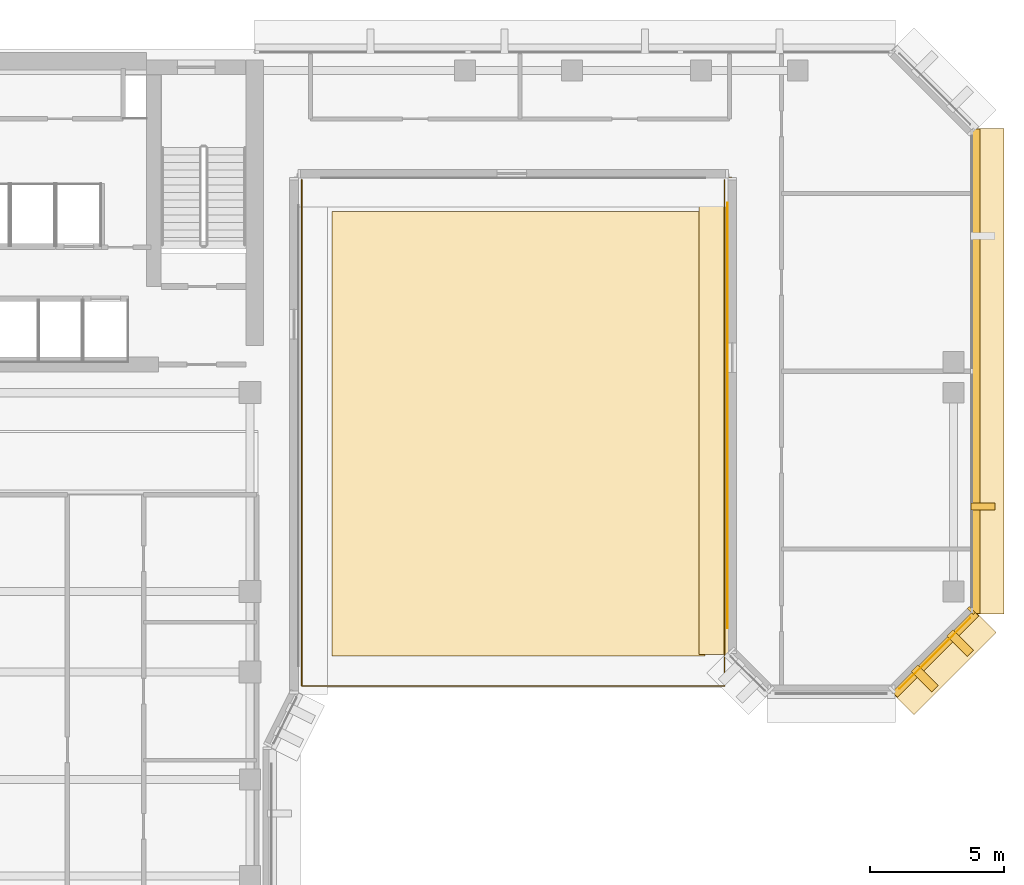
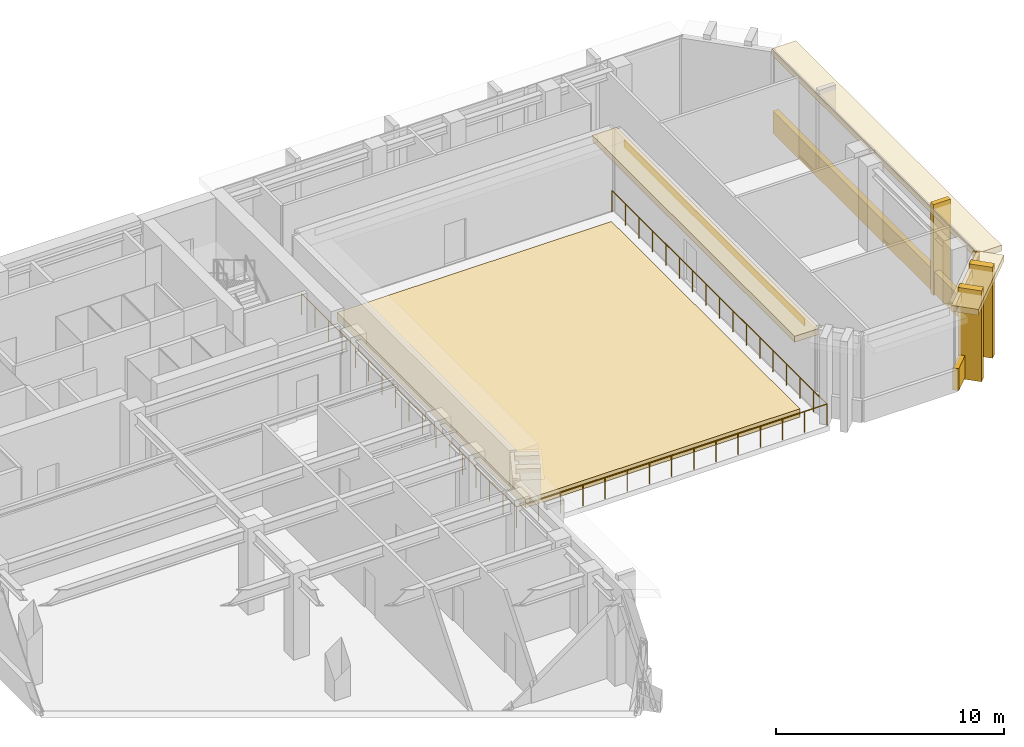
# One storey, part 10 of 12: 12 coverings, 1 railing.
"""IFC4 building model written with IfcOpenShell, lengths in metres."""

from ifc_helpers import new_model, si_unit, direction, frame, origin, origin_2d, place, context, subcontext, project, spatial, polyline, rectangle, circle, outline, extrude, material, layer, layer_set, type_object, element, save


model = new_model("IFC4")

# Units and contexts
model_context = context("Model", 3, precision=1e-05, world=origin(), true_north=direction((0.0, 1.0)))
body_context = subcontext(model_context, "Body", "Model", "MODEL_VIEW")
ifc_project = project(units=[si_unit("LENGTHUNIT", "METRE"), si_unit("AREAUNIT", "SQUARE_METRE"), si_unit("VOLUMEUNIT", "CUBIC_METRE"), si_unit("PLANEANGLEUNIT", "RADIAN"), si_unit("MASSUNIT", "GRAM", prefix="KILO")], contexts=[model_context])

# Site, building, storey
site_placement = place(None, origin())
site = spatial("IfcSite", under=ifc_project, at=site_placement, CompositionType="ELEMENT")
building_placement = place(site_placement, origin())
building = spatial("IfcBuilding", under=site, at=building_placement, Name="Kefirva Bronze Tower", CompositionType="ELEMENT")
storey_placement = place(building_placement, frame((0.0, 0.0, 215.159912109375)))
storey = spatial("IfcBuildingStorey", under=building, at=storey_placement, Name="L52", CompositionType="ELEMENT", Elevation=215.159912109375)

# Coverings
ifc_material_1 = material(Name="Bronze anodised aluminium", Category="aluminium")
ifc_layer_1 = layer(ifc_material_1, 0.02001953125, Name="Bronze anodised aluminium")
ifc_layer_set_1 = layer_set([ifc_layer_1], Name="Bronze anodised aluminium")
covering_type_1 = type_object("IfcCoveringType", Name="Anodised Bronze Spandrel Cladding 20mm", PredefinedType="CLADDING", material=ifc_layer_set_1)
covering_1_placement = place(storey_placement, frame((40.989990234375, 32.35009765625, 3.9501953125), z_axis=(0.0, 0.0, 1.0), x_axis=(0.0, -1.0, 0.0)))
element("IfcCovering", 1, at=covering_1_placement, inside=storey, type_object=covering_type_1, Name="L52 Bronze Spandrel Cladding 6", PredefinedType="CLADDING", context=body_context, shape_type="SweptSolid", body=[
    extrude(rectangle(XDim=15.8310546875, YDim=0.02001953125, at=origin_2d()), origin(), (0.0, 0.0, 1.0), 0.39990234375),
])
covering_2_placement = place(storey_placement, frame((48.70703125, 23.492919921875, 3.9501953125), z_axis=(0.0, 0.0, 1.0), x_axis=(0.707106781187, 0.707106781187, 0.0)))
element("IfcCovering", 2, at=covering_2_placement, inside=storey, type_object=covering_type_1, Name="L52 Bronze Spandrel Cladding 9", PredefinedType="CLADDING", context=body_context, shape_type="SweptSolid", body=[
    extrude(rectangle(XDim=3.719482421875, YDim=0.02001953125, at=origin_2d()), origin(), (0.0, 0.0, 1.0), 0.39990234375),
])
covering_3_placement = place(storey_placement, frame((50.06201171875, 25.08837890625, 0.0), z_axis=(0.0, 0.0, 1.0), x_axis=(0.707106781187, 0.707106781187, 0.0)))
element("IfcCovering", 3, at=covering_3_placement, inside=storey, type_object=covering_type_1, Name="L52 Facade Joint Closure Panel 9E", PredefinedType="CLADDING", context=body_context, shape_type="SweptSolid", body=[
    extrude(rectangle(XDim=0.10009765625, YDim=0.320068359375, at=origin_2d()), origin(), (0.0, 0.0, 1.0), 4.3701171875),
])
covering_4_placement = place(storey_placement, frame((48.728271484375, 23.4716796875, -0.15966796875), z_axis=(0.0, 0.0, 1.0), x_axis=(0.707106781187, 0.707106781187, 0.0)))
element("IfcCovering", 4, at=covering_4_placement, inside=storey, type_object=covering_type_1, Name="L52 Streamline Horizontal Spandrel Band 10", PredefinedType="CLADDING", context=body_context, shape_type="SweptSolid", body=[
    extrude(rectangle(XDim=4.28271484375, YDim=0.280029296875, at=origin_2d()), origin(), (0.0, 0.0, 1.0), 1.179931640625),
])
covering_5_placement = place(storey_placement, frame((50.239990234375, 34.0, -0.15966796875), z_axis=(0.0, 0.0, 1.0), x_axis=(0.0, 1.0, 0.0)))
element("IfcCovering", 5, at=covering_5_placement, inside=storey, type_object=covering_type_1, Name="L52 Streamline Horizontal Spandrel Band 11", PredefinedType="CLADDING", context=body_context, shape_type="SweptSolid", body=[
    extrude(rectangle(XDim=18.0400390625, YDim=0.280029296875, at=origin_2d()), origin(), (0.0, 0.0, 1.0), 1.179931640625),
])

# Railing
railing_type = type_object("IfcRailingType", Name="Exterior Ship-Deck Terrace Guardrail 1150mm", PredefinedType="GUARDRAIL", material=ifc_material_1)
railing_placement = place(storey_placement, frame((25.1298828125, 41.1298828125, 0.0)))
element("IfcRailing", 6, at=railing_placement, inside=storey, type_object=railing_type, Name="L52 Terrace Perimeter Guardrail", PredefinedType="GUARDRAIL", context=body_context, shape_type="SweptSolid", body=[
    extrude(circle(Radius=0.02392578125, at=origin_2d()), frame((0.0, 0.0, 1.1259765625), z_axis=(0.0, -1.0, 0.0), x_axis=(1.0, 0.0, 0.0)), (0.0, 0.0, 1.0), 18.849853515625),
    extrude(circle(Radius=0.02392578125, at=origin_2d()), frame((0.0, -18.849853515625, 1.1259765625), z_axis=(1.0, 0.0, 0.0), x_axis=(0.0, 1.0, 0.0)), (0.0, 0.0, 1.0), 15.740234375),
    extrude(circle(Radius=0.02392578125, at=origin_2d()), frame((15.740234375, -18.849853515625, 1.1259765625), z_axis=(0.0, 1.0, 0.0), x_axis=(-1.0, 0.0, 0.0)), (0.0, 0.0, 1.0), 18.849853515625),
    extrude(circle(Radius=0.02099609375, at=origin_2d()), origin(), (0.0, 0.0, 1.0), 1.101806640625),
    extrude(circle(Radius=0.02099609375, at=origin_2d()), frame((0.0, -1.17822265625, 0.0)), (0.0, 0.0, 1.0), 1.101806640625),
    extrude(circle(Radius=0.02099609375, at=origin_2d()), frame((0.0, -2.356201171875, 0.0)), (0.0, 0.0, 1.0), 1.101806640625),
    extrude(circle(Radius=0.02099609375, at=origin_2d()), frame((0.0, -3.534423828125, 0.0)), (0.0, 0.0, 1.0), 1.101806640625),
    extrude(circle(Radius=0.02099609375, at=origin_2d()), frame((0.0, -4.71240234375, 0.0)), (0.0, 0.0, 1.0), 1.101806640625),
    extrude(circle(Radius=0.02099609375, at=origin_2d()), frame((0.0, -5.890625, 0.0)), (0.0, 0.0, 1.0), 1.101806640625),
    extrude(circle(Radius=0.02099609375, at=origin_2d()), frame((0.0, -7.068603515625, 0.0)), (0.0, 0.0, 1.0), 1.101806640625),
    extrude(circle(Radius=0.02099609375, at=origin_2d()), frame((0.0, -8.246826171875, 0.0)), (0.0, 0.0, 1.0), 1.101806640625),
    extrude(circle(Radius=0.02099609375, at=origin_2d()), frame((0.0, -9.4248046875, 0.0)), (0.0, 0.0, 1.0), 1.101806640625),
    extrude(circle(Radius=0.02099609375, at=origin_2d()), frame((0.0, -10.60302734375, 0.0)), (0.0, 0.0, 1.0), 1.101806640625),
    extrude(circle(Radius=0.02099609375, at=origin_2d()), frame((0.0, -11.78125, 0.0)), (0.0, 0.0, 1.0), 1.101806640625),
    extrude(circle(Radius=0.02099609375, at=origin_2d()), frame((0.0, -12.959228515625, 0.0)), (0.0, 0.0, 1.0), 1.101806640625),
    extrude(circle(Radius=0.02099609375, at=origin_2d()), frame((0.0, -14.137451171875, 0.0)), (0.0, 0.0, 1.0), 1.101806640625),
    extrude(circle(Radius=0.02099609375, at=origin_2d()), frame((0.0, -15.3154296875, 0.0)), (0.0, 0.0, 1.0), 1.101806640625),
    extrude(circle(Radius=0.02099609375, at=origin_2d()), frame((0.0, -16.49365234375, 0.0)), (0.0, 0.0, 1.0), 1.101806640625),
    extrude(circle(Radius=0.02099609375, at=origin_2d()), frame((0.0, -17.671630859375, 0.0)), (0.0, 0.0, 1.0), 1.101806640625),
    extrude(circle(Radius=0.02099609375, at=origin_2d()), frame((0.0, -18.849853515625, 0.0)), (0.0, 0.0, 1.0), 1.101806640625),
    extrude(circle(Radius=0.02099609375, at=origin_2d()), frame((1.124267578125, -18.849853515625, 0.0)), (0.0, 0.0, 1.0), 1.101806640625),
    extrude(circle(Radius=0.02099609375, at=origin_2d()), frame((2.24853515625, -18.849853515625, 0.0)), (0.0, 0.0, 1.0), 1.101806640625),
    extrude(circle(Radius=0.02099609375, at=origin_2d()), frame((3.372802734375, -18.849853515625, 0.0)), (0.0, 0.0, 1.0), 1.101806640625),
    extrude(circle(Radius=0.02099609375, at=origin_2d()), frame((4.497314453125, -18.849853515625, 0.0)), (0.0, 0.0, 1.0), 1.101806640625),
    extrude(circle(Radius=0.02099609375, at=origin_2d()), frame((5.62158203125, -18.849853515625, 0.0)), (0.0, 0.0, 1.0), 1.101806640625),
    extrude(circle(Radius=0.02099609375, at=origin_2d()), frame((6.745849609375, -18.849853515625, 0.0)), (0.0, 0.0, 1.0), 1.101806640625),
    extrude(circle(Radius=0.02099609375, at=origin_2d()), frame((7.8701171875, -18.849853515625, 0.0)), (0.0, 0.0, 1.0), 1.101806640625),
    extrude(circle(Radius=0.02099609375, at=origin_2d()), frame((8.994384765625, -18.849853515625, 0.0)), (0.0, 0.0, 1.0), 1.101806640625),
    extrude(circle(Radius=0.02099609375, at=origin_2d()), frame((10.11865234375, -18.849853515625, 0.0)), (0.0, 0.0, 1.0), 1.101806640625),
    extrude(circle(Radius=0.02099609375, at=origin_2d()), frame((11.242919921875, -18.849853515625, 0.0)), (0.0, 0.0, 1.0), 1.101806640625),
    extrude(circle(Radius=0.02099609375, at=origin_2d()), frame((12.367431640625, -18.849853515625, 0.0)), (0.0, 0.0, 1.0), 1.101806640625),
    extrude(circle(Radius=0.02099609375, at=origin_2d()), frame((13.49169921875, -18.849853515625, 0.0)), (0.0, 0.0, 1.0), 1.101806640625),
    extrude(circle(Radius=0.02099609375, at=origin_2d()), frame((14.615966796875, -18.849853515625, 0.0)), (0.0, 0.0, 1.0), 1.101806640625),
    extrude(circle(Radius=0.02099609375, at=origin_2d()), frame((15.740234375, -18.849853515625, 0.0)), (0.0, 0.0, 1.0), 1.101806640625),
    extrude(circle(Radius=0.02099609375, at=origin_2d()), frame((15.740234375, -17.671630859375, 0.0)), (0.0, 0.0, 1.0), 1.101806640625),
    extrude(circle(Radius=0.02099609375, at=origin_2d()), frame((15.740234375, -16.49365234375, 0.0)), (0.0, 0.0, 1.0), 1.101806640625),
    extrude(circle(Radius=0.02099609375, at=origin_2d()), frame((15.740234375, -15.3154296875, 0.0)), (0.0, 0.0, 1.0), 1.101806640625),
    extrude(circle(Radius=0.02099609375, at=origin_2d()), frame((15.740234375, -14.137451171875, 0.0)), (0.0, 0.0, 1.0), 1.101806640625),
    extrude(circle(Radius=0.02099609375, at=origin_2d()), frame((15.740234375, -12.959228515625, 0.0)), (0.0, 0.0, 1.0), 1.101806640625),
    extrude(circle(Radius=0.02099609375, at=origin_2d()), frame((15.740234375, -11.78125, 0.0)), (0.0, 0.0, 1.0), 1.101806640625),
    extrude(circle(Radius=0.02099609375, at=origin_2d()), frame((15.740234375, -10.60302734375, 0.0)), (0.0, 0.0, 1.0), 1.101806640625),
    extrude(circle(Radius=0.02099609375, at=origin_2d()), frame((15.740234375, -9.4248046875, 0.0)), (0.0, 0.0, 1.0), 1.101806640625),
    extrude(circle(Radius=0.02099609375, at=origin_2d()), frame((15.740234375, -8.246826171875, 0.0)), (0.0, 0.0, 1.0), 1.101806640625),
    extrude(circle(Radius=0.02099609375, at=origin_2d()), frame((15.740234375, -7.068603515625, 0.0)), (0.0, 0.0, 1.0), 1.101806640625),
    extrude(circle(Radius=0.02099609375, at=origin_2d()), frame((15.740234375, -5.890625, 0.0)), (0.0, 0.0, 1.0), 1.101806640625),
    extrude(circle(Radius=0.02099609375, at=origin_2d()), frame((15.740234375, -4.71240234375, 0.0)), (0.0, 0.0, 1.0), 1.101806640625),
    extrude(circle(Radius=0.02099609375, at=origin_2d()), frame((15.740234375, -3.534423828125, 0.0)), (0.0, 0.0, 1.0), 1.101806640625),
    extrude(circle(Radius=0.02099609375, at=origin_2d()), frame((15.740234375, -2.356201171875, 0.0)), (0.0, 0.0, 1.0), 1.101806640625),
    extrude(circle(Radius=0.02099609375, at=origin_2d()), frame((15.740234375, -1.17822265625, 0.0)), (0.0, 0.0, 1.0), 1.101806640625),
    extrude(circle(Radius=0.02099609375, at=origin_2d()), frame((15.740234375, 0.0, 0.0)), (0.0, 0.0, 1.0), 1.101806640625),
])

# Coverings
ifc_material_2 = material(Name="Planted sky-garden soil substrate")
ifc_layer_2 = layer(ifc_material_2, 0.449951171875, Name="Planted sky-garden soil substrate")
ifc_layer_set_2 = layer_set([ifc_layer_2], Name="Planted sky-garden soil substrate")
covering_type_2 = type_object("IfcCoveringType", Name="Sky-Garden Planted Substrate Bed 450mm", PredefinedType="USERDEFINED", material=ifc_layer_set_2)
covering_6_placement = place(storey_placement, origin())
element("IfcCovering", 7, at=covering_6_placement, inside=storey, type_object=covering_type_2, Name="L52 Sky-Garden Planter Bed", ObjectType="PLANTER", PredefinedType="USERDEFINED", context=body_context, shape_type="SweptSolid", body=[
    extrude(outline(polyline([(26.25, 23.39990234375), (40.14990234375, 23.39990234375), (40.14990234375, 39.949951171875), (26.25, 39.949951171875), (26.25, 23.39990234375)])), origin(), (0.0, 0.0, 1.0), 0.4501953125),
])
ifc_layer_3 = layer(ifc_material_1, 0.179931640625, Name="Bronze anodised aluminium")
ifc_layer_set_3 = layer_set([ifc_layer_3], Name="Bronze anodised aluminium")
covering_type_3 = type_object("IfcCoveringType", Name="Streamline Bronze Sunshade Eyebrow Cladding 180mm", PredefinedType="CLADDING", material=ifc_layer_set_3)
covering_7_placement = place(storey_placement, frame((40.5400390625, 32.35009765625, 4.05029296875), z_axis=(0.0, 0.0, 1.0), x_axis=(0.0, -1.0, 0.0)))
element("IfcCovering", 8, at=covering_7_placement, inside=storey, type_object=covering_type_3, Name="L52 Streamline Bronze Sunshade Eyebrow 7", PredefinedType="CLADDING", context=body_context, shape_type="SweptSolid", body=[
    extrude(rectangle(XDim=17.780029296875, YDim=1.239990234375, at=origin_2d()), origin(), (0.0, 0.0, 1.0), 0.320068359375),
])
covering_8_placement = place(storey_placement, frame((49.025390625, 23.1748046875, 4.05029296875), z_axis=(0.0, 0.0, 1.0), x_axis=(0.707106781187, 0.707106781187, 0.0)))
element("IfcCovering", 9, at=covering_8_placement, inside=storey, type_object=covering_type_3, Name="L52 Streamline Bronze Sunshade Eyebrow 10", PredefinedType="CLADDING", context=body_context, shape_type="SweptSolid", body=[
    extrude(rectangle(XDim=4.322509765625, YDim=1.239990234375, at=origin_2d()), origin(), (0.0, 0.0, 1.0), 0.320068359375),
])
covering_9_placement = place(storey_placement, frame((50.659912109375, 34.0, 4.05029296875), z_axis=(0.0, 0.0, 1.0), x_axis=(0.0, 1.0, 0.0)))
element("IfcCovering", 10, at=covering_9_placement, inside=storey, type_object=covering_type_3, Name="L52 Streamline Bronze Sunshade Eyebrow 11", PredefinedType="CLADDING", context=body_context, shape_type="SweptSolid", body=[
    extrude(rectangle(XDim=18.080078125, YDim=1.239990234375, at=origin_2d()), origin(), (0.0, 0.0, 1.0), 0.320068359375),
])
ifc_layer_4 = layer(ifc_material_1, 0.260009765625, Name="Bronze anodised aluminium")
ifc_layer_set_4 = layer_set([ifc_layer_4], Name="Bronze anodised aluminium")
covering_type_4 = type_object("IfcCoveringType", Name="Unbroken Bronze Buttress Fin Cladding 260mm", PredefinedType="CLADDING", material=ifc_layer_set_4)
for number, where, z_axis, x_axis, name in (
    (11, (48.32275390625, 22.55712890625, -0.25), (0.0, 0.0, 1.0), (0.707106781187, 0.707106781187, 0.0), "L52 Chamfered Corner Buttress Fin Cladding 11"),
    (12, (49.642822265625, 23.877197265625, -0.25), (0.0, 0.0, 1.0), (0.707106781187, 0.707106781187, 0.0), "L52 Chamfered Corner Buttress Fin Cladding 12"),
):
    element("IfcCovering", number, at=place(storey_placement, frame(where, z_axis=z_axis, x_axis=x_axis)), inside=storey, type_object=covering_type_4, Name=name, PredefinedType="CLADDING", context=body_context, shape_type="SweptSolid", body=[
        extrude(rectangle(XDim=0.340087890625, YDim=1.080078125, at=origin_2d()), origin(), (0.0, 0.0, 1.0), 4.8701171875),
    ])
covering_10_placement = place(storey_placement, frame((50.5, 28.9599609375, -0.25), z_axis=(0.0, 0.0, 1.0), x_axis=(0.0, 1.0, 0.0)))
element("IfcCovering", 13, at=covering_10_placement, inside=storey, type_object=covering_type_4, Name="L52 Unbroken Vertical Bronze Rib Fin 13", PredefinedType="CLADDING", context=body_context, shape_type="SweptSolid", body=[
    extrude(rectangle(XDim=0.260009765625, YDim=0.8798828125, at=origin_2d()), origin(), (0.0, 0.0, 1.0), 4.8701171875),
])

save(model, "model.ifc")
